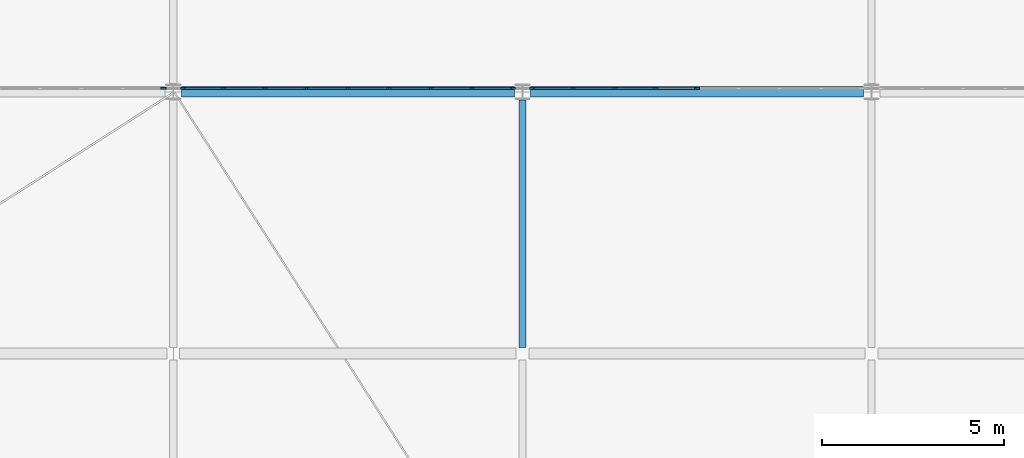
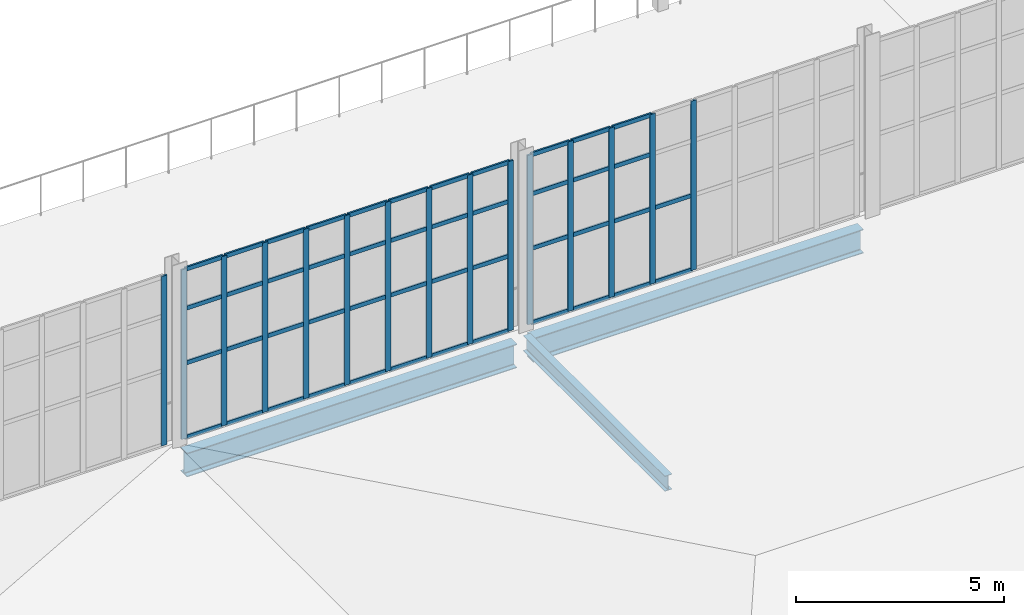
# One storey, part 32 of 112: 61 members, 3 beams, 3 elements without a shape of their own.
"""IFC4 building model written with IfcOpenShell, lengths in metres."""

from ifc_helpers import new_model, si_unit, direction, frame, origin, origin_2d, place, context, subcontext, project, spatial, rectangle, i_section, extrude, material, layer, layer_set, material_profile, profile_set, type_object, element, aggregate, save


model = new_model("IFC4")

# Units and contexts
model_context = context("Model", 3, precision=1e-05, world=origin(), true_north=direction((0.0, 1.0)))
body_context = subcontext(model_context, "Body", "Model", "MODEL_VIEW")
ifc_project = project(units=[si_unit("LENGTHUNIT", "METRE"), si_unit("AREAUNIT", "SQUARE_METRE"), si_unit("VOLUMEUNIT", "CUBIC_METRE"), si_unit("PLANEANGLEUNIT", "RADIAN"), si_unit("MASSUNIT", "GRAM", prefix="KILO")], contexts=[model_context])

# Site, building, storey
site_placement = place(None, origin())
site = spatial("IfcSite", under=ifc_project, at=site_placement, CompositionType="ELEMENT")
building_placement = place(site_placement, origin())
building = spatial("IfcBuilding", under=site, at=building_placement, Name="Yeouljin Market Hall", CompositionType="ELEMENT")
storey_placement = place(building_placement, frame((0.0, 0.0, 6.0)))
storey = spatial("IfcBuildingStorey", under=building, at=storey_placement, Name="L01", CompositionType="ELEMENT", Elevation=6.0)

# Beam
ifc_material_1 = material(Name="Steel SM355", Category="steel")
ifc_material_profile_1 = material_profile(ifc_material_1, i_section(OverallWidth=0.199951171875, OverallDepth=0.449951171875, WebThickness=0.009033203125, FlangeThickness=0.013916015625, FilletRadius=0.01806640625, at=origin_2d()), Name="H-450x200x9x14")
ifc_profile_set_1 = profile_set([ifc_material_profile_1], Name="Steel SM355")
beam_type_1 = type_object("IfcBeamType", Name="Beam_H-450x200x9x14", PredefinedType="BEAM", material=ifc_profile_set_1)
beam_1_placement = place(storey_placement, frame((73.800048828125, 28.97509765625, -0.2451171875), z_axis=(0.0, 1.0, 0.0), x_axis=(-1.0, 0.0, 0.0)))
element("IfcBeam", 1, at=beam_1_placement, inside=storey, type_object=beam_type_1, Name="Boulevard forecourt canopy beam BM-V5FC-Y13", PredefinedType="BEAM", context=body_context, shape_type="SweptSolid", body=[
    extrude(i_section(OverallWidth=0.199951171875, OverallDepth=0.449951171875, WebThickness=0.009033203125, FlangeThickness=0.013916015625, FilletRadius=0.01806640625, at=origin_2d()), origin(), (0.0, 0.0, 1.0), 6.7998046875),
])

# Curtain wall, member
ifc_material_2 = material(Name="Thermally Broken Aluminium", Category="aluminium")
ifc_layer = layer(ifc_material_2, 0.159912109375)
ifc_layer_set = layer_set([ifc_layer], Name="Thermally Broken Aluminium")
curtain_wall_type = type_object("IfcCurtainWallType", Name="CW_HallClerestory_System", PredefinedType="USERDEFINED", material=ifc_layer_set)
curtain_wall_1_placement = place(storey_placement, origin())
curtain_wall_1 = element("IfcCurtainWall", 2, at=curtain_wall_1_placement, inside=storey, type_object=curtain_wall_type, Name="Curtain wall CW-V1S-L01-03", ObjectType="CURTAIN WALL", PredefinedType="USERDEFINED")
ifc_material_3 = material(Name="Thermally Broken Aluminium", Category="aluminium")
ifc_material_profile_2 = material_profile(ifc_material_3, rectangle(XDim=0.048095703125, YDim=0.14990234375, at=origin_2d()), Name="CW-MULL-48x150")
ifc_profile_set_2 = profile_set([ifc_material_profile_2], Name="Thermally Broken Aluminium")
member_type_1 = type_object("IfcMemberType", Name="CWMullion_48x150", PredefinedType="MULLION", material=ifc_profile_set_2)
member_1_placement = place(storey_placement, frame((63.926025390625, 36.10009765625, 0.0), z_axis=(0.0, 0.0, 1.0), x_axis=(0.0, -1.0, 0.0)))
member_1 = element("IfcMember", 3, at=member_1_placement, type_object=member_type_1, Name="CW-02 mullion 1", PredefinedType="MULLION", context=body_context, shape_type="SweptSolid", body=[
    extrude(rectangle(XDim=0.048095703125, YDim=0.14990234375, at=origin_2d()), origin(), (0.0, 0.0, 1.0), 4.969970703125),
])
aggregate(curtain_wall_1, [member_1])

# Curtain wall, members
curtain_wall_2_placement = place(storey_placement, origin())
curtain_wall_2 = element("IfcCurtainWall", 4, at=curtain_wall_2_placement, inside=storey, type_object=curtain_wall_type, Name="Curtain wall CW-V1S-L01-04", ObjectType="CURTAIN WALL", PredefinedType="USERDEFINED")
member_2_placement = place(storey_placement, frame((73.52587890625, 36.10009765625, 0.0), z_axis=(0.0, 0.0, 1.0), x_axis=(0.0, -1.0, 0.0)))
member_2 = element("IfcMember", 5, at=member_2_placement, type_object=member_type_1, Name="CW-02 mullion 1", PredefinedType="MULLION", context=body_context, shape_type="SweptSolid", body=[
    extrude(rectangle(XDim=0.048095703125, YDim=0.14990234375, at=origin_2d()), origin(), (0.0, 0.0, 1.0), 4.969970703125),
])
member_3_placement = place(storey_placement, frame((72.41259765625, 36.10009765625, 0.0), z_axis=(0.0, 0.0, 1.0), x_axis=(0.0, -1.0, 0.0)))
member_3 = element("IfcMember", 6, at=member_3_placement, type_object=member_type_1, Name="CW-02 mullion 2", PredefinedType="MULLION", context=body_context, shape_type="SweptSolid", body=[
    extrude(rectangle(XDim=0.048095703125, YDim=0.14990234375, at=origin_2d()), origin(), (0.0, 0.0, 1.0), 4.969970703125),
])
member_4_placement = place(storey_placement, frame((71.27490234375, 36.10009765625, 0.0), z_axis=(0.0, 0.0, 1.0), x_axis=(0.0, -1.0, 0.0)))
member_4 = element("IfcMember", 7, at=member_4_placement, type_object=member_type_1, Name="CW-02 mullion 3", PredefinedType="MULLION", context=body_context, shape_type="SweptSolid", body=[
    extrude(rectangle(XDim=0.048095703125, YDim=0.14990234375, at=origin_2d()), origin(), (0.0, 0.0, 1.0), 4.969970703125),
])
member_5_placement = place(storey_placement, frame((70.137451171875, 36.10009765625, 0.0), z_axis=(0.0, 0.0, 1.0), x_axis=(0.0, -1.0, 0.0)))
member_5 = element("IfcMember", 8, at=member_5_placement, type_object=member_type_1, Name="CW-02 mullion 4", PredefinedType="MULLION", context=body_context, shape_type="SweptSolid", body=[
    extrude(rectangle(XDim=0.048095703125, YDim=0.14990234375, at=origin_2d()), origin(), (0.0, 0.0, 1.0), 4.969970703125),
])
member_6_placement = place(storey_placement, frame((69.0, 36.10009765625, 0.0), z_axis=(0.0, 0.0, 1.0), x_axis=(0.0, -1.0, 0.0)))
member_6 = element("IfcMember", 9, at=member_6_placement, type_object=member_type_1, Name="CW-02 mullion 5", PredefinedType="MULLION", context=body_context, shape_type="SweptSolid", body=[
    extrude(rectangle(XDim=0.048095703125, YDim=0.14990234375, at=origin_2d()), origin(), (0.0, 0.0, 1.0), 4.969970703125),
])
member_7_placement = place(storey_placement, frame((67.862548828125, 36.10009765625, 0.0), z_axis=(0.0, 0.0, 1.0), x_axis=(0.0, -1.0, 0.0)))
member_7 = element("IfcMember", 10, at=member_7_placement, type_object=member_type_1, Name="CW-02 mullion 6", PredefinedType="MULLION", context=body_context, shape_type="SweptSolid", body=[
    extrude(rectangle(XDim=0.048095703125, YDim=0.14990234375, at=origin_2d()), origin(), (0.0, 0.0, 1.0), 4.969970703125),
])
member_8_placement = place(storey_placement, frame((66.72509765625, 36.10009765625, 0.0), z_axis=(0.0, 0.0, 1.0), x_axis=(0.0, -1.0, 0.0)))
member_8 = element("IfcMember", 11, at=member_8_placement, type_object=member_type_1, Name="CW-02 mullion 7", PredefinedType="MULLION", context=body_context, shape_type="SweptSolid", body=[
    extrude(rectangle(XDim=0.048095703125, YDim=0.14990234375, at=origin_2d()), origin(), (0.0, 0.0, 1.0), 4.969970703125),
])
member_9_placement = place(storey_placement, frame((65.58740234375, 36.10009765625, 0.0), z_axis=(0.0, 0.0, 1.0), x_axis=(0.0, -1.0, 0.0)))
member_9 = element("IfcMember", 12, at=member_9_placement, type_object=member_type_1, Name="CW-02 mullion 8", PredefinedType="MULLION", context=body_context, shape_type="SweptSolid", body=[
    extrude(rectangle(XDim=0.048095703125, YDim=0.14990234375, at=origin_2d()), origin(), (0.0, 0.0, 1.0), 4.969970703125),
])
member_10_placement = place(storey_placement, frame((64.47412109375, 36.10009765625, 0.0), z_axis=(0.0, 0.0, 1.0), x_axis=(0.0, -1.0, 0.0)))
member_10 = element("IfcMember", 13, at=member_10_placement, type_object=member_type_1, Name="CW-02 mullion 9", PredefinedType="MULLION", context=body_context, shape_type="SweptSolid", body=[
    extrude(rectangle(XDim=0.048095703125, YDim=0.14990234375, at=origin_2d()), origin(), (0.0, 0.0, 1.0), 4.969970703125),
])

curtain_wall_3_placement = place(storey_placement, origin())
curtain_wall_3 = element("IfcCurtainWall", 14, at=curtain_wall_3_placement, inside=storey, type_object=curtain_wall_type, Name="Curtain wall CW-V1S-L01-05", ObjectType="CURTAIN WALL", PredefinedType="USERDEFINED")
member_11_placement = place(storey_placement, frame((78.60009765625, 36.10009765625, 0.0), z_axis=(0.0, 0.0, 1.0), x_axis=(0.0, -1.0, 0.0)))
member_11 = element("IfcMember", 15, at=member_11_placement, type_object=member_type_1, Name="CW-02 mullion 5", PredefinedType="MULLION", context=body_context, shape_type="SweptSolid", body=[
    extrude(rectangle(XDim=0.048095703125, YDim=0.14990234375, at=origin_2d()), origin(), (0.0, 0.0, 1.0), 4.969970703125),
])
member_12_placement = place(storey_placement, frame((77.46240234375, 36.10009765625, 0.0), z_axis=(0.0, 0.0, 1.0), x_axis=(0.0, -1.0, 0.0)))
member_12 = element("IfcMember", 16, at=member_12_placement, type_object=member_type_1, Name="CW-02 mullion 6", PredefinedType="MULLION", context=body_context, shape_type="SweptSolid", body=[
    extrude(rectangle(XDim=0.048095703125, YDim=0.14990234375, at=origin_2d()), origin(), (0.0, 0.0, 1.0), 4.969970703125),
])
member_13_placement = place(storey_placement, frame((76.324951171875, 36.10009765625, 0.0), z_axis=(0.0, 0.0, 1.0), x_axis=(0.0, -1.0, 0.0)))
member_13 = element("IfcMember", 17, at=member_13_placement, type_object=member_type_1, Name="CW-02 mullion 7", PredefinedType="MULLION", context=body_context, shape_type="SweptSolid", body=[
    extrude(rectangle(XDim=0.048095703125, YDim=0.14990234375, at=origin_2d()), origin(), (0.0, 0.0, 1.0), 4.969970703125),
])
member_14_placement = place(storey_placement, frame((75.1875, 36.10009765625, 0.0), z_axis=(0.0, 0.0, 1.0), x_axis=(0.0, -1.0, 0.0)))
member_14 = element("IfcMember", 18, at=member_14_placement, type_object=member_type_1, Name="CW-02 mullion 8", PredefinedType="MULLION", context=body_context, shape_type="SweptSolid", body=[
    extrude(rectangle(XDim=0.048095703125, YDim=0.14990234375, at=origin_2d()), origin(), (0.0, 0.0, 1.0), 4.969970703125),
])
member_15_placement = place(storey_placement, frame((74.073974609375, 36.10009765625, 0.0), z_axis=(0.0, 0.0, 1.0), x_axis=(0.0, -1.0, 0.0)))
member_15 = element("IfcMember", 19, at=member_15_placement, type_object=member_type_1, Name="CW-02 mullion 9", PredefinedType="MULLION", context=body_context, shape_type="SweptSolid", body=[
    extrude(rectangle(XDim=0.048095703125, YDim=0.14990234375, at=origin_2d()), origin(), (0.0, 0.0, 1.0), 4.969970703125),
])

# Member
ifc_material_4 = material(Name="Thermally Broken Aluminium", Category="aluminium")
ifc_material_profile_3 = material_profile(ifc_material_4, rectangle(XDim=0.048095703125, YDim=0.1201171875, at=origin_2d()), Name="CW-TRAN-48x120")
ifc_profile_set_3 = profile_set([ifc_material_profile_3], Name="Thermally Broken Aluminium")
member_type_2 = type_object("IfcMemberType", Name="CWTransom_48x120", PredefinedType="USERDEFINED", material=ifc_profile_set_3)
member_16_placement = place(storey_placement, frame((73.501953125, 36.10009765625, 0.02392578125), z_axis=(-1.0, 0.0, 0.0), x_axis=(0.0, -1.0, 0.0)))
member_16 = element("IfcMember", 20, at=member_16_placement, type_object=member_type_2, Name="CW-02 transom 1.1", ObjectType="TRANSOM", PredefinedType="USERDEFINED", context=body_context, shape_type="SweptSolid", body=[
    extrude(rectangle(XDim=0.048095703125, YDim=0.1201171875, at=origin_2d()), origin(), (0.0, 0.0, 1.0), 1.0654296875),
])

member_17_placement = place(storey_placement, frame((73.501953125, 36.10009765625, 2.199951171875), z_axis=(-1.0, 0.0, 0.0), x_axis=(0.0, -1.0, 0.0)))
member_17 = element("IfcMember", 21, at=member_17_placement, type_object=member_type_2, Name="CW-02 transom 1.2", ObjectType="TRANSOM", PredefinedType="USERDEFINED", context=body_context, shape_type="SweptSolid", body=[
    extrude(rectangle(XDim=0.048095703125, YDim=0.1201171875, at=origin_2d()), origin(), (0.0, 0.0, 1.0), 1.0654296875),
])

member_18_placement = place(storey_placement, frame((73.501953125, 36.10009765625, 3.800048828125), z_axis=(-1.0, 0.0, 0.0), x_axis=(0.0, -1.0, 0.0)))
member_18 = element("IfcMember", 22, at=member_18_placement, type_object=member_type_2, Name="CW-02 transom 1.3", ObjectType="TRANSOM", PredefinedType="USERDEFINED", context=body_context, shape_type="SweptSolid", body=[
    extrude(rectangle(XDim=0.048095703125, YDim=0.1201171875, at=origin_2d()), origin(), (0.0, 0.0, 1.0), 1.0654296875),
])

member_19_placement = place(storey_placement, frame((73.501953125, 36.10009765625, 4.946044921875), z_axis=(-1.0, 0.0, 0.0), x_axis=(0.0, -1.0, 0.0)))
member_19 = element("IfcMember", 23, at=member_19_placement, type_object=member_type_2, Name="CW-02 transom 1.4", ObjectType="TRANSOM", PredefinedType="USERDEFINED", context=body_context, shape_type="SweptSolid", body=[
    extrude(rectangle(XDim=0.048095703125, YDim=0.1201171875, at=origin_2d()), origin(), (0.0, 0.0, 1.0), 1.0654296875),
])

member_20_placement = place(storey_placement, frame((72.388427734375, 36.10009765625, 0.02392578125), z_axis=(-1.0, 0.0, 0.0), x_axis=(0.0, -1.0, 0.0)))
member_20 = element("IfcMember", 24, at=member_20_placement, type_object=member_type_2, Name="CW-02 transom 2.1", ObjectType="TRANSOM", PredefinedType="USERDEFINED", context=body_context, shape_type="SweptSolid", body=[
    extrude(rectangle(XDim=0.048095703125, YDim=0.1201171875, at=origin_2d()), origin(), (0.0, 0.0, 1.0), 1.08935546875),
])

member_21_placement = place(storey_placement, frame((72.388427734375, 36.10009765625, 2.199951171875), z_axis=(-1.0, 0.0, 0.0), x_axis=(0.0, -1.0, 0.0)))
member_21 = element("IfcMember", 25, at=member_21_placement, type_object=member_type_2, Name="CW-02 transom 2.2", ObjectType="TRANSOM", PredefinedType="USERDEFINED", context=body_context, shape_type="SweptSolid", body=[
    extrude(rectangle(XDim=0.048095703125, YDim=0.1201171875, at=origin_2d()), origin(), (0.0, 0.0, 1.0), 1.08935546875),
])

member_22_placement = place(storey_placement, frame((72.388427734375, 36.10009765625, 3.800048828125), z_axis=(-1.0, 0.0, 0.0), x_axis=(0.0, -1.0, 0.0)))
member_22 = element("IfcMember", 26, at=member_22_placement, type_object=member_type_2, Name="CW-02 transom 2.3", ObjectType="TRANSOM", PredefinedType="USERDEFINED", context=body_context, shape_type="SweptSolid", body=[
    extrude(rectangle(XDim=0.048095703125, YDim=0.1201171875, at=origin_2d()), origin(), (0.0, 0.0, 1.0), 1.08935546875),
])

member_23_placement = place(storey_placement, frame((72.388427734375, 36.10009765625, 4.946044921875), z_axis=(-1.0, 0.0, 0.0), x_axis=(0.0, -1.0, 0.0)))
member_23 = element("IfcMember", 27, at=member_23_placement, type_object=member_type_2, Name="CW-02 transom 2.4", ObjectType="TRANSOM", PredefinedType="USERDEFINED", context=body_context, shape_type="SweptSolid", body=[
    extrude(rectangle(XDim=0.048095703125, YDim=0.1201171875, at=origin_2d()), origin(), (0.0, 0.0, 1.0), 1.08935546875),
])

member_24_placement = place(storey_placement, frame((71.2509765625, 36.10009765625, 0.02392578125), z_axis=(-1.0, 0.0, 0.0), x_axis=(0.0, -1.0, 0.0)))
member_24 = element("IfcMember", 28, at=member_24_placement, type_object=member_type_2, Name="CW-02 transom 3.1", ObjectType="TRANSOM", PredefinedType="USERDEFINED", context=body_context, shape_type="SweptSolid", body=[
    extrude(rectangle(XDim=0.048095703125, YDim=0.1201171875, at=origin_2d()), origin(), (0.0, 0.0, 1.0), 1.08935546875),
])

member_25_placement = place(storey_placement, frame((71.2509765625, 36.10009765625, 2.199951171875), z_axis=(-1.0, 0.0, 0.0), x_axis=(0.0, -1.0, 0.0)))
member_25 = element("IfcMember", 29, at=member_25_placement, type_object=member_type_2, Name="CW-02 transom 3.2", ObjectType="TRANSOM", PredefinedType="USERDEFINED", context=body_context, shape_type="SweptSolid", body=[
    extrude(rectangle(XDim=0.048095703125, YDim=0.1201171875, at=origin_2d()), origin(), (0.0, 0.0, 1.0), 1.08935546875),
])

member_26_placement = place(storey_placement, frame((71.2509765625, 36.10009765625, 3.800048828125), z_axis=(-1.0, 0.0, 0.0), x_axis=(0.0, -1.0, 0.0)))
member_26 = element("IfcMember", 30, at=member_26_placement, type_object=member_type_2, Name="CW-02 transom 3.3", ObjectType="TRANSOM", PredefinedType="USERDEFINED", context=body_context, shape_type="SweptSolid", body=[
    extrude(rectangle(XDim=0.048095703125, YDim=0.1201171875, at=origin_2d()), origin(), (0.0, 0.0, 1.0), 1.08935546875),
])

member_27_placement = place(storey_placement, frame((71.2509765625, 36.10009765625, 4.946044921875), z_axis=(-1.0, 0.0, 0.0), x_axis=(0.0, -1.0, 0.0)))
member_27 = element("IfcMember", 31, at=member_27_placement, type_object=member_type_2, Name="CW-02 transom 3.4", ObjectType="TRANSOM", PredefinedType="USERDEFINED", context=body_context, shape_type="SweptSolid", body=[
    extrude(rectangle(XDim=0.048095703125, YDim=0.1201171875, at=origin_2d()), origin(), (0.0, 0.0, 1.0), 1.08935546875),
])

member_28_placement = place(storey_placement, frame((70.113525390625, 36.10009765625, 0.02392578125), z_axis=(-1.0, 0.0, 0.0), x_axis=(0.0, -1.0, 0.0)))
member_28 = element("IfcMember", 32, at=member_28_placement, type_object=member_type_2, Name="CW-02 transom 4.1", ObjectType="TRANSOM", PredefinedType="USERDEFINED", context=body_context, shape_type="SweptSolid", body=[
    extrude(rectangle(XDim=0.048095703125, YDim=0.1201171875, at=origin_2d()), origin(), (0.0, 0.0, 1.0), 1.089599609375),
])

member_29_placement = place(storey_placement, frame((70.113525390625, 36.10009765625, 2.199951171875), z_axis=(-1.0, 0.0, 0.0), x_axis=(0.0, -1.0, 0.0)))
member_29 = element("IfcMember", 33, at=member_29_placement, type_object=member_type_2, Name="CW-02 transom 4.2", ObjectType="TRANSOM", PredefinedType="USERDEFINED", context=body_context, shape_type="SweptSolid", body=[
    extrude(rectangle(XDim=0.048095703125, YDim=0.1201171875, at=origin_2d()), origin(), (0.0, 0.0, 1.0), 1.089599609375),
])

member_30_placement = place(storey_placement, frame((70.113525390625, 36.10009765625, 3.800048828125), z_axis=(-1.0, 0.0, 0.0), x_axis=(0.0, -1.0, 0.0)))
member_30 = element("IfcMember", 34, at=member_30_placement, type_object=member_type_2, Name="CW-02 transom 4.3", ObjectType="TRANSOM", PredefinedType="USERDEFINED", context=body_context, shape_type="SweptSolid", body=[
    extrude(rectangle(XDim=0.048095703125, YDim=0.1201171875, at=origin_2d()), origin(), (0.0, 0.0, 1.0), 1.089599609375),
])

member_31_placement = place(storey_placement, frame((70.113525390625, 36.10009765625, 4.946044921875), z_axis=(-1.0, 0.0, 0.0), x_axis=(0.0, -1.0, 0.0)))
member_31 = element("IfcMember", 35, at=member_31_placement, type_object=member_type_2, Name="CW-02 transom 4.4", ObjectType="TRANSOM", PredefinedType="USERDEFINED", context=body_context, shape_type="SweptSolid", body=[
    extrude(rectangle(XDim=0.048095703125, YDim=0.1201171875, at=origin_2d()), origin(), (0.0, 0.0, 1.0), 1.089599609375),
])

member_32_placement = place(storey_placement, frame((68.97607421875, 36.10009765625, 0.02392578125), z_axis=(-1.0, 0.0, 0.0), x_axis=(0.0, -1.0, 0.0)))
member_32 = element("IfcMember", 36, at=member_32_placement, type_object=member_type_2, Name="CW-02 transom 5.1", ObjectType="TRANSOM", PredefinedType="USERDEFINED", context=body_context, shape_type="SweptSolid", body=[
    extrude(rectangle(XDim=0.048095703125, YDim=0.1201171875, at=origin_2d()), origin(), (0.0, 0.0, 1.0), 1.089599609375),
])

member_33_placement = place(storey_placement, frame((68.97607421875, 36.10009765625, 2.199951171875), z_axis=(-1.0, 0.0, 0.0), x_axis=(0.0, -1.0, 0.0)))
member_33 = element("IfcMember", 37, at=member_33_placement, type_object=member_type_2, Name="CW-02 transom 5.2", ObjectType="TRANSOM", PredefinedType="USERDEFINED", context=body_context, shape_type="SweptSolid", body=[
    extrude(rectangle(XDim=0.048095703125, YDim=0.1201171875, at=origin_2d()), origin(), (0.0, 0.0, 1.0), 1.089599609375),
])

member_34_placement = place(storey_placement, frame((68.97607421875, 36.10009765625, 3.800048828125), z_axis=(-1.0, 0.0, 0.0), x_axis=(0.0, -1.0, 0.0)))
member_34 = element("IfcMember", 38, at=member_34_placement, type_object=member_type_2, Name="CW-02 transom 5.3", ObjectType="TRANSOM", PredefinedType="USERDEFINED", context=body_context, shape_type="SweptSolid", body=[
    extrude(rectangle(XDim=0.048095703125, YDim=0.1201171875, at=origin_2d()), origin(), (0.0, 0.0, 1.0), 1.089599609375),
])

member_35_placement = place(storey_placement, frame((68.97607421875, 36.10009765625, 4.946044921875), z_axis=(-1.0, 0.0, 0.0), x_axis=(0.0, -1.0, 0.0)))
member_35 = element("IfcMember", 39, at=member_35_placement, type_object=member_type_2, Name="CW-02 transom 5.4", ObjectType="TRANSOM", PredefinedType="USERDEFINED", context=body_context, shape_type="SweptSolid", body=[
    extrude(rectangle(XDim=0.048095703125, YDim=0.1201171875, at=origin_2d()), origin(), (0.0, 0.0, 1.0), 1.089599609375),
])

member_36_placement = place(storey_placement, frame((67.83837890625, 36.10009765625, 0.02392578125), z_axis=(-1.0, 0.0, 0.0), x_axis=(0.0, -1.0, 0.0)))
member_36 = element("IfcMember", 40, at=member_36_placement, type_object=member_type_2, Name="CW-02 transom 6.1", ObjectType="TRANSOM", PredefinedType="USERDEFINED", context=body_context, shape_type="SweptSolid", body=[
    extrude(rectangle(XDim=0.048095703125, YDim=0.1201171875, at=origin_2d()), origin(), (0.0, 0.0, 1.0), 1.08935546875),
])

member_37_placement = place(storey_placement, frame((67.83837890625, 36.10009765625, 2.199951171875), z_axis=(-1.0, 0.0, 0.0), x_axis=(0.0, -1.0, 0.0)))
member_37 = element("IfcMember", 41, at=member_37_placement, type_object=member_type_2, Name="CW-02 transom 6.2", ObjectType="TRANSOM", PredefinedType="USERDEFINED", context=body_context, shape_type="SweptSolid", body=[
    extrude(rectangle(XDim=0.048095703125, YDim=0.1201171875, at=origin_2d()), origin(), (0.0, 0.0, 1.0), 1.08935546875),
])

member_38_placement = place(storey_placement, frame((67.83837890625, 36.10009765625, 3.800048828125), z_axis=(-1.0, 0.0, 0.0), x_axis=(0.0, -1.0, 0.0)))
member_38 = element("IfcMember", 42, at=member_38_placement, type_object=member_type_2, Name="CW-02 transom 6.3", ObjectType="TRANSOM", PredefinedType="USERDEFINED", context=body_context, shape_type="SweptSolid", body=[
    extrude(rectangle(XDim=0.048095703125, YDim=0.1201171875, at=origin_2d()), origin(), (0.0, 0.0, 1.0), 1.08935546875),
])

member_39_placement = place(storey_placement, frame((67.83837890625, 36.10009765625, 4.946044921875), z_axis=(-1.0, 0.0, 0.0), x_axis=(0.0, -1.0, 0.0)))
member_39 = element("IfcMember", 43, at=member_39_placement, type_object=member_type_2, Name="CW-02 transom 6.4", ObjectType="TRANSOM", PredefinedType="USERDEFINED", context=body_context, shape_type="SweptSolid", body=[
    extrude(rectangle(XDim=0.048095703125, YDim=0.1201171875, at=origin_2d()), origin(), (0.0, 0.0, 1.0), 1.08935546875),
])

member_40_placement = place(storey_placement, frame((66.700927734375, 36.10009765625, 0.02392578125), z_axis=(-1.0, 0.0, 0.0), x_axis=(0.0, -1.0, 0.0)))
member_40 = element("IfcMember", 44, at=member_40_placement, type_object=member_type_2, Name="CW-02 transom 7.1", ObjectType="TRANSOM", PredefinedType="USERDEFINED", context=body_context, shape_type="SweptSolid", body=[
    extrude(rectangle(XDim=0.048095703125, YDim=0.1201171875, at=origin_2d()), origin(), (0.0, 0.0, 1.0), 1.08935546875),
])

member_41_placement = place(storey_placement, frame((66.700927734375, 36.10009765625, 2.199951171875), z_axis=(-1.0, 0.0, 0.0), x_axis=(0.0, -1.0, 0.0)))
member_41 = element("IfcMember", 45, at=member_41_placement, type_object=member_type_2, Name="CW-02 transom 7.2", ObjectType="TRANSOM", PredefinedType="USERDEFINED", context=body_context, shape_type="SweptSolid", body=[
    extrude(rectangle(XDim=0.048095703125, YDim=0.1201171875, at=origin_2d()), origin(), (0.0, 0.0, 1.0), 1.08935546875),
])

member_42_placement = place(storey_placement, frame((66.700927734375, 36.10009765625, 3.800048828125), z_axis=(-1.0, 0.0, 0.0), x_axis=(0.0, -1.0, 0.0)))
member_42 = element("IfcMember", 46, at=member_42_placement, type_object=member_type_2, Name="CW-02 transom 7.3", ObjectType="TRANSOM", PredefinedType="USERDEFINED", context=body_context, shape_type="SweptSolid", body=[
    extrude(rectangle(XDim=0.048095703125, YDim=0.1201171875, at=origin_2d()), origin(), (0.0, 0.0, 1.0), 1.08935546875),
])

member_43_placement = place(storey_placement, frame((66.700927734375, 36.10009765625, 4.946044921875), z_axis=(-1.0, 0.0, 0.0), x_axis=(0.0, -1.0, 0.0)))
member_43 = element("IfcMember", 47, at=member_43_placement, type_object=member_type_2, Name="CW-02 transom 7.4", ObjectType="TRANSOM", PredefinedType="USERDEFINED", context=body_context, shape_type="SweptSolid", body=[
    extrude(rectangle(XDim=0.048095703125, YDim=0.1201171875, at=origin_2d()), origin(), (0.0, 0.0, 1.0), 1.08935546875),
])

member_44_placement = place(storey_placement, frame((65.5634765625, 36.10009765625, 0.02392578125), z_axis=(-1.0, 0.0, 0.0), x_axis=(0.0, -1.0, 0.0)))
member_44 = element("IfcMember", 48, at=member_44_placement, type_object=member_type_2, Name="CW-02 transom 8.1", ObjectType="TRANSOM", PredefinedType="USERDEFINED", context=body_context, shape_type="SweptSolid", body=[
    extrude(rectangle(XDim=0.048095703125, YDim=0.1201171875, at=origin_2d()), origin(), (0.0, 0.0, 1.0), 1.0654296875),
])

member_45_placement = place(storey_placement, frame((65.5634765625, 36.10009765625, 2.199951171875), z_axis=(-1.0, 0.0, 0.0), x_axis=(0.0, -1.0, 0.0)))
member_45 = element("IfcMember", 49, at=member_45_placement, type_object=member_type_2, Name="CW-02 transom 8.2", ObjectType="TRANSOM", PredefinedType="USERDEFINED", context=body_context, shape_type="SweptSolid", body=[
    extrude(rectangle(XDim=0.048095703125, YDim=0.1201171875, at=origin_2d()), origin(), (0.0, 0.0, 1.0), 1.0654296875),
])

member_46_placement = place(storey_placement, frame((65.5634765625, 36.10009765625, 3.800048828125), z_axis=(-1.0, 0.0, 0.0), x_axis=(0.0, -1.0, 0.0)))
member_46 = element("IfcMember", 50, at=member_46_placement, type_object=member_type_2, Name="CW-02 transom 8.3", ObjectType="TRANSOM", PredefinedType="USERDEFINED", context=body_context, shape_type="SweptSolid", body=[
    extrude(rectangle(XDim=0.048095703125, YDim=0.1201171875, at=origin_2d()), origin(), (0.0, 0.0, 1.0), 1.0654296875),
])

member_47_placement = place(storey_placement, frame((65.5634765625, 36.10009765625, 4.946044921875), z_axis=(-1.0, 0.0, 0.0), x_axis=(0.0, -1.0, 0.0)))
member_47 = element("IfcMember", 51, at=member_47_placement, type_object=member_type_2, Name="CW-02 transom 8.4", ObjectType="TRANSOM", PredefinedType="USERDEFINED", context=body_context, shape_type="SweptSolid", body=[
    extrude(rectangle(XDim=0.048095703125, YDim=0.1201171875, at=origin_2d()), origin(), (0.0, 0.0, 1.0), 1.0654296875),
])

aggregate(curtain_wall_2, [member_2, member_3, member_4, member_5, member_6, member_7, member_8, member_9, member_10, member_16, member_17, member_18, member_19, member_20, member_21, member_22, member_23, member_24, member_25, member_26, member_27, member_28, member_29, member_30, member_31, member_32, member_33, member_34, member_35, member_36, member_37, member_38, member_39, member_40, member_41, member_42, member_43, member_44, member_45, member_46, member_47])

member_48_placement = place(storey_placement, frame((78.575927734375, 36.10009765625, 0.02392578125), z_axis=(-1.0, 0.0, 0.0), x_axis=(0.0, -1.0, 0.0)))
member_48 = element("IfcMember", 52, at=member_48_placement, type_object=member_type_2, Name="CW-02 transom 5.1", ObjectType="TRANSOM", PredefinedType="USERDEFINED", context=body_context, shape_type="SweptSolid", body=[
    extrude(rectangle(XDim=0.048095703125, YDim=0.1201171875, at=origin_2d()), origin(), (0.0, 0.0, 1.0), 1.08935546875),
])

member_49_placement = place(storey_placement, frame((78.575927734375, 36.10009765625, 2.199951171875), z_axis=(-1.0, 0.0, 0.0), x_axis=(0.0, -1.0, 0.0)))
member_49 = element("IfcMember", 53, at=member_49_placement, type_object=member_type_2, Name="CW-02 transom 5.2", ObjectType="TRANSOM", PredefinedType="USERDEFINED", context=body_context, shape_type="SweptSolid", body=[
    extrude(rectangle(XDim=0.048095703125, YDim=0.1201171875, at=origin_2d()), origin(), (0.0, 0.0, 1.0), 1.08935546875),
])

member_50_placement = place(storey_placement, frame((77.4384765625, 36.10009765625, 0.02392578125), z_axis=(-1.0, 0.0, 0.0), x_axis=(0.0, -1.0, 0.0)))
member_50 = element("IfcMember", 54, at=member_50_placement, type_object=member_type_2, Name="CW-02 transom 6.1", ObjectType="TRANSOM", PredefinedType="USERDEFINED", context=body_context, shape_type="SweptSolid", body=[
    extrude(rectangle(XDim=0.048095703125, YDim=0.1201171875, at=origin_2d()), origin(), (0.0, 0.0, 1.0), 1.08935546875),
])

member_51_placement = place(storey_placement, frame((77.4384765625, 36.10009765625, 2.199951171875), z_axis=(-1.0, 0.0, 0.0), x_axis=(0.0, -1.0, 0.0)))
member_51 = element("IfcMember", 55, at=member_51_placement, type_object=member_type_2, Name="CW-02 transom 6.2", ObjectType="TRANSOM", PredefinedType="USERDEFINED", context=body_context, shape_type="SweptSolid", body=[
    extrude(rectangle(XDim=0.048095703125, YDim=0.1201171875, at=origin_2d()), origin(), (0.0, 0.0, 1.0), 1.08935546875),
])

member_52_placement = place(storey_placement, frame((77.4384765625, 36.10009765625, 3.800048828125), z_axis=(-1.0, 0.0, 0.0), x_axis=(0.0, -1.0, 0.0)))
member_52 = element("IfcMember", 56, at=member_52_placement, type_object=member_type_2, Name="CW-02 transom 6.3", ObjectType="TRANSOM", PredefinedType="USERDEFINED", context=body_context, shape_type="SweptSolid", body=[
    extrude(rectangle(XDim=0.048095703125, YDim=0.1201171875, at=origin_2d()), origin(), (0.0, 0.0, 1.0), 1.08935546875),
])

member_53_placement = place(storey_placement, frame((77.4384765625, 36.10009765625, 4.946044921875), z_axis=(-1.0, 0.0, 0.0), x_axis=(0.0, -1.0, 0.0)))
member_53 = element("IfcMember", 57, at=member_53_placement, type_object=member_type_2, Name="CW-02 transom 6.4", ObjectType="TRANSOM", PredefinedType="USERDEFINED", context=body_context, shape_type="SweptSolid", body=[
    extrude(rectangle(XDim=0.048095703125, YDim=0.1201171875, at=origin_2d()), origin(), (0.0, 0.0, 1.0), 1.08935546875),
])

member_54_placement = place(storey_placement, frame((76.301025390625, 36.10009765625, 0.02392578125), z_axis=(-1.0, 0.0, 0.0), x_axis=(0.0, -1.0, 0.0)))
member_54 = element("IfcMember", 58, at=member_54_placement, type_object=member_type_2, Name="CW-02 transom 7.1", ObjectType="TRANSOM", PredefinedType="USERDEFINED", context=body_context, shape_type="SweptSolid", body=[
    extrude(rectangle(XDim=0.048095703125, YDim=0.1201171875, at=origin_2d()), origin(), (0.0, 0.0, 1.0), 1.089599609375),
])

member_55_placement = place(storey_placement, frame((76.301025390625, 36.10009765625, 2.199951171875), z_axis=(-1.0, 0.0, 0.0), x_axis=(0.0, -1.0, 0.0)))
member_55 = element("IfcMember", 59, at=member_55_placement, type_object=member_type_2, Name="CW-02 transom 7.2", ObjectType="TRANSOM", PredefinedType="USERDEFINED", context=body_context, shape_type="SweptSolid", body=[
    extrude(rectangle(XDim=0.048095703125, YDim=0.1201171875, at=origin_2d()), origin(), (0.0, 0.0, 1.0), 1.089599609375),
])

member_56_placement = place(storey_placement, frame((76.301025390625, 36.10009765625, 3.800048828125), z_axis=(-1.0, 0.0, 0.0), x_axis=(0.0, -1.0, 0.0)))
member_56 = element("IfcMember", 60, at=member_56_placement, type_object=member_type_2, Name="CW-02 transom 7.3", ObjectType="TRANSOM", PredefinedType="USERDEFINED", context=body_context, shape_type="SweptSolid", body=[
    extrude(rectangle(XDim=0.048095703125, YDim=0.1201171875, at=origin_2d()), origin(), (0.0, 0.0, 1.0), 1.089599609375),
])

member_57_placement = place(storey_placement, frame((76.301025390625, 36.10009765625, 4.946044921875), z_axis=(-1.0, 0.0, 0.0), x_axis=(0.0, -1.0, 0.0)))
member_57 = element("IfcMember", 61, at=member_57_placement, type_object=member_type_2, Name="CW-02 transom 7.4", ObjectType="TRANSOM", PredefinedType="USERDEFINED", context=body_context, shape_type="SweptSolid", body=[
    extrude(rectangle(XDim=0.048095703125, YDim=0.1201171875, at=origin_2d()), origin(), (0.0, 0.0, 1.0), 1.089599609375),
])

member_58_placement = place(storey_placement, frame((75.16357421875, 36.10009765625, 0.02392578125), z_axis=(-1.0, 0.0, 0.0), x_axis=(0.0, -1.0, 0.0)))
member_58 = element("IfcMember", 62, at=member_58_placement, type_object=member_type_2, Name="CW-02 transom 8.1", ObjectType="TRANSOM", PredefinedType="USERDEFINED", context=body_context, shape_type="SweptSolid", body=[
    extrude(rectangle(XDim=0.048095703125, YDim=0.1201171875, at=origin_2d()), origin(), (0.0, 0.0, 1.0), 1.065673828125),
])

member_59_placement = place(storey_placement, frame((75.16357421875, 36.10009765625, 2.199951171875), z_axis=(-1.0, 0.0, 0.0), x_axis=(0.0, -1.0, 0.0)))
member_59 = element("IfcMember", 63, at=member_59_placement, type_object=member_type_2, Name="CW-02 transom 8.2", ObjectType="TRANSOM", PredefinedType="USERDEFINED", context=body_context, shape_type="SweptSolid", body=[
    extrude(rectangle(XDim=0.048095703125, YDim=0.1201171875, at=origin_2d()), origin(), (0.0, 0.0, 1.0), 1.065673828125),
])

member_60_placement = place(storey_placement, frame((75.16357421875, 36.10009765625, 3.800048828125), z_axis=(-1.0, 0.0, 0.0), x_axis=(0.0, -1.0, 0.0)))
member_60 = element("IfcMember", 64, at=member_60_placement, type_object=member_type_2, Name="CW-02 transom 8.3", ObjectType="TRANSOM", PredefinedType="USERDEFINED", context=body_context, shape_type="SweptSolid", body=[
    extrude(rectangle(XDim=0.048095703125, YDim=0.1201171875, at=origin_2d()), origin(), (0.0, 0.0, 1.0), 1.065673828125),
])

member_61_placement = place(storey_placement, frame((75.16357421875, 36.10009765625, 4.946044921875), z_axis=(-1.0, 0.0, 0.0), x_axis=(0.0, -1.0, 0.0)))
member_61 = element("IfcMember", 65, at=member_61_placement, type_object=member_type_2, Name="CW-02 transom 8.4", ObjectType="TRANSOM", PredefinedType="USERDEFINED", context=body_context, shape_type="SweptSolid", body=[
    extrude(rectangle(XDim=0.048095703125, YDim=0.1201171875, at=origin_2d()), origin(), (0.0, 0.0, 1.0), 1.065673828125),
])

aggregate(curtain_wall_3, [member_11, member_12, member_13, member_14, member_15, member_48, member_49, member_50, member_51, member_52, member_53, member_54, member_55, member_56, member_57, member_58, member_59, member_60, member_61])

# Beams
ifc_material_5 = material(Name="Steel SM355", Category="steel")
ifc_material_profile_4 = material_profile(ifc_material_5, i_section(OverallWidth=0.300048828125, OverallDepth=0.699951171875, WebThickness=0.012939453125, FlangeThickness=0.02392578125, FilletRadius=0.02587890625, at=origin_2d()), Name="H-700x300x13x24")
ifc_profile_set_4 = profile_set([ifc_material_profile_4], Name="Steel SM355")
beam_type_2 = type_object("IfcBeamType", Name="Girder_H-700x300x13x24", PredefinedType="USERDEFINED", material=ifc_profile_set_4)
beam_2_placement = place(storey_placement, frame((64.425048828125, 36.0, -0.6201171875), z_axis=(1.0, 0.0, 0.0), x_axis=(0.0, 1.0, 0.0)))
element("IfcBeam", 66, at=beam_2_placement, inside=storey, type_object=beam_type_2, Name="Primary girder GRD-L01-X051", ObjectType="GIRDER", PredefinedType="USERDEFINED", context=body_context, shape_type="SweptSolid", body=[
    extrude(i_section(OverallWidth=0.300048828125, OverallDepth=0.699951171875, WebThickness=0.012939453125, FlangeThickness=0.02392578125, FilletRadius=0.02587890625, at=origin_2d()), origin(), (0.0, 0.0, 1.0), 9.14990234375),
])
beam_3_placement = place(storey_placement, frame((74.02490234375, 36.0, -0.6201171875), z_axis=(1.0, 0.0, 0.0), x_axis=(0.0, 1.0, 0.0)))
element("IfcBeam", 67, at=beam_3_placement, inside=storey, type_object=beam_type_2, Name="Primary girder GRD-L01-X052", ObjectType="GIRDER", PredefinedType="USERDEFINED", context=body_context, shape_type="SweptSolid", body=[
    extrude(i_section(OverallWidth=0.300048828125, OverallDepth=0.699951171875, WebThickness=0.012939453125, FlangeThickness=0.02392578125, FilletRadius=0.02587890625, at=origin_2d()), origin(), (0.0, 0.0, 1.0), 9.150146484375),
])

save(model, "model.ifc")
